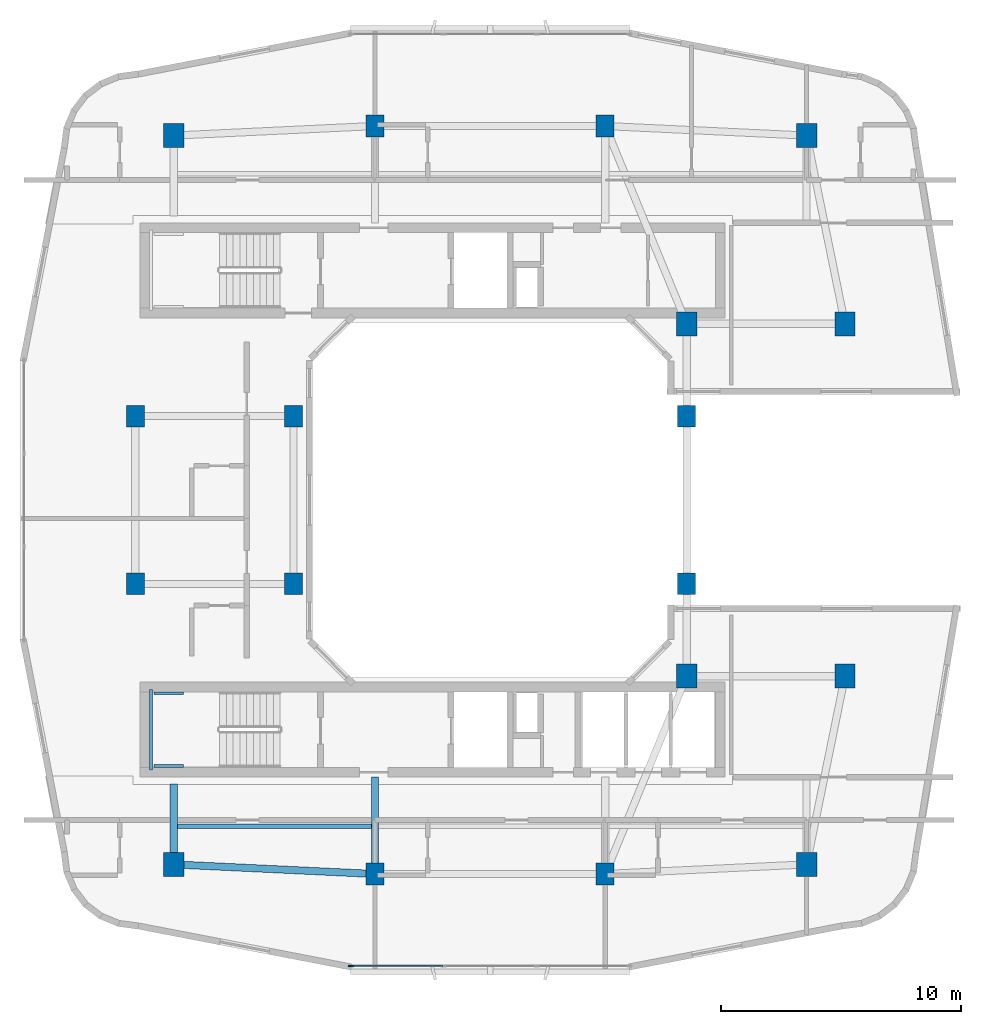
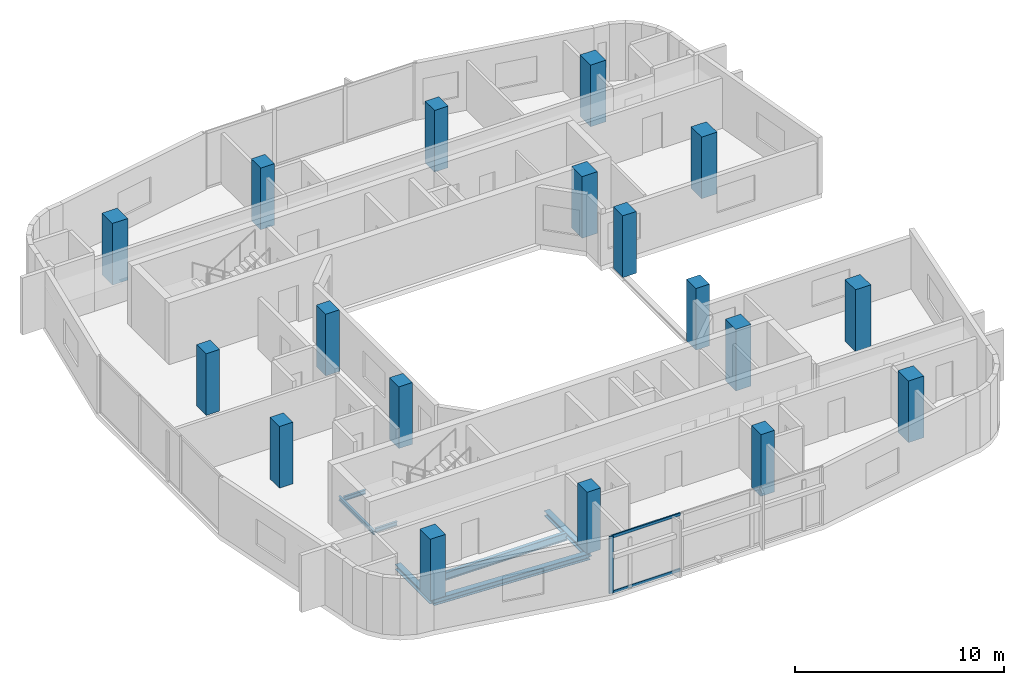
# One storey, part 1 of 12: 18 columns, 7 beams, 3 members, 1 element without a shape of its own.
"""IFC4 building model written with IfcOpenShell, lengths in metres."""

from ifc_helpers import new_model, si_unit, derived_unit, direction, frame, origin, origin_2d, place, context, subcontext, project, spatial, rectangle, i_section, extrude, material, layer, layer_set, material_profile, profile_set, type_object, element, aggregate, save


model = new_model("IFC4")

# Units and contexts
model_context = context("Model", 3, precision=1e-05, world=origin(), true_north=direction((0.0, 1.0)))
body_context = subcontext(model_context, "Body", "Model", "MODEL_VIEW")
ifc_project = project(units=[si_unit("LENGTHUNIT", "METRE"), si_unit("AREAUNIT", "SQUARE_METRE"), si_unit("VOLUMEUNIT", "CUBIC_METRE"), si_unit("PLANEANGLEUNIT", "RADIAN"), si_unit("MASSUNIT", "GRAM", prefix="KILO"), derived_unit("THERMALTRANSMITTANCEUNIT", [(si_unit("POWERUNIT", "WATT"), 1), (si_unit("LENGTHUNIT", "METRE"), -2), (si_unit("THERMODYNAMICTEMPERATUREUNIT", "KELVIN"), -1)])], contexts=[model_context])

# Site, building, storey
site_placement = place(None, origin())
site = spatial("IfcSite", under=ifc_project, at=site_placement, CompositionType="ELEMENT")
building_placement = place(site_placement, origin())
building = spatial("IfcBuilding", under=site, at=building_placement, Name="Kivonza Crest Hotel", CompositionType="ELEMENT")
storey_placement = place(building_placement, frame((0.0, 0.0, 181.10009765625)))
storey = spatial("IfcBuildingStorey", under=building, at=storey_placement, Name="L49", CompositionType="ELEMENT", Elevation=181.10009765625)

# Columns
ifc_material_1 = material(Name="Concrete C50/60", Category="concrete")
ifc_material_profile_1 = material_profile(ifc_material_1, rectangle(XDim=0.85009765625, YDim=1.0, at=origin_2d()), Name="RC 1000x850")
ifc_profile_set_1 = profile_set([ifc_material_profile_1], Name="Concrete C50/60")
column_type_1 = type_object("IfcColumnType", Name="CL-RC-1000x850", PredefinedType="COLUMN", material=ifc_profile_set_1)
for number, where, z_axis, x_axis, name in (
    (1, (7.800048828125, 9.800048828125, 0.0), (0.0, 0.0, 1.0), (1.0, 0.0, 0.0), "Tower T1 L49 column SW"),
    (2, (34.199951171875, 9.800048828125, 0.0), (0.0, 0.0, 1.0), (1.0, 0.0, 0.0), "Tower T1 L49 column SE"),
    (3, (34.199951171875, 40.199951171875, 0.0), (0.0, 0.0, 1.0), (1.0, 0.0, 0.0), "Tower T1 L49 column NE"),
    (4, (7.800048828125, 40.199951171875, 0.0), (0.0, 0.0, 1.0), (1.0, 0.0, 0.0), "Tower T1 L49 column NW"),
    (5, (35.800048828125, 17.64990234375, 0.0), (0.0, 0.0, 1.0), (1.0, 0.0, 0.0), "Tower T1 L49 column PSE"),
    (6, (35.800048828125, 32.35009765625, 0.0), (0.0, 0.0, 1.0), (1.0, 0.0, 0.0), "Tower T1 L49 column PNE"),
    (7, (29.199951171875, 17.64990234375, 0.0), (0.0, 0.0, 1.0), (1.0, 0.0, 0.0), "Tower T1 L49 column TSE"),
    (8, (29.199951171875, 32.35009765625, 0.0), (0.0, 0.0, 1.0), (1.0, 0.0, 0.0), "Tower T1 L49 column TNE"),
):
    element("IfcColumn", number, at=place(storey_placement, frame(where, z_axis=z_axis, x_axis=x_axis)), inside=storey, type_object=column_type_1, Name=name, PredefinedType="COLUMN", context=body_context, shape_type="SweptSolid", body=[
        extrude(rectangle(XDim=0.85009765625, YDim=1.0, at=origin_2d()), origin(), (0.0, 0.0, 1.0), 3.599853515625),
    ])
ifc_material_profile_2 = material_profile(ifc_material_1, rectangle(XDim=0.75, YDim=0.89990234375, at=origin_2d()), Name="RC 900x750")
ifc_profile_set_2 = profile_set([ifc_material_profile_2], Name="Concrete C50/60")
column_type_2 = type_object("IfcColumnType", Name="CL-RC-900x750", PredefinedType="COLUMN", material=ifc_profile_set_2)
for number, where, z_axis, x_axis, name in (
    (9, (16.199951171875, 9.39990234375, 0.0), (0.0, 0.0, 1.0), (1.0, 0.0, 0.0), "Tower T1 L49 column S1"),
    (10, (25.800048828125, 9.39990234375, 0.0), (0.0, 0.0, 1.0), (1.0, 0.0, 0.0), "Tower T1 L49 column S2"),
    (11, (16.199951171875, 40.60009765625, 0.0), (0.0, 0.0, 1.0), (1.0, 0.0, 0.0), "Tower T1 L49 column N1"),
    (12, (25.800048828125, 40.60009765625, 0.0), (0.0, 0.0, 1.0), (1.0, 0.0, 0.0), "Tower T1 L49 column N2"),
    (13, (6.199951171875, 21.5, 0.0), (0.0, 0.0, 1.0), (1.0, 0.0, 0.0), "Tower T1 L49 column W1"),
    (14, (6.199951171875, 28.5, 0.0), (0.0, 0.0, 1.0), (1.0, 0.0, 0.0), "Tower T1 L49 column W2"),
    (15, (12.800048828125, 21.5, 0.0), (0.0, 0.0, 1.0), (1.0, 0.0, 0.0), "Tower T1 L49 column WL1"),
    (16, (12.800048828125, 28.5, 0.0), (0.0, 0.0, 1.0), (1.0, 0.0, 0.0), "Tower T1 L49 column WL2"),
    (17, (29.199951171875, 21.5, 0.0), (0.0, 0.0, 1.0), (1.0, 0.0, 0.0), "Tower T1 L49 column WR1"),
    (18, (29.199951171875, 28.5, 0.0), (0.0, 0.0, 1.0), (1.0, 0.0, 0.0), "Tower T1 L49 column WR2"),
):
    element("IfcColumn", number, at=place(storey_placement, frame(where, z_axis=z_axis, x_axis=x_axis)), inside=storey, type_object=column_type_2, Name=name, PredefinedType="COLUMN", context=body_context, shape_type="SweptSolid", body=[
        extrude(rectangle(XDim=0.75, YDim=0.89990234375, at=origin_2d()), origin(), (0.0, 0.0, 1.0), 3.599853515625),
    ])

# Beams
ifc_material_2 = material(Name="Steel S355", Category="steel")
ifc_material_profile_3 = material_profile(ifc_material_2, i_section(OverallWidth=0.300048828125, OverallDepth=0.300048828125, WebThickness=0.010986328125, FlangeThickness=0.01904296875, FilletRadius=0.027099609375, at=origin_2d()), Name="HEB 300")
ifc_profile_set_3 = profile_set([ifc_material_profile_3], Name="Steel S355")
beam_type_1 = type_object("IfcBeamType", Name="BM-HEB300", PredefinedType="BEAM", material=ifc_profile_set_3)
beam_1_placement = place(storey_placement, frame((7.800048828125, 9.800048828125, -0.43017578125), z_axis=(0.0, 1.0, 0.0), x_axis=(-1.0, 0.0, 0.0)))
element("IfcBeam", 19, at=beam_1_placement, inside=storey, type_object=beam_type_1, Name="Tower T1 L49 radial core girder RSW", PredefinedType="BEAM", context=body_context, shape_type="SweptSolid", body=[
    extrude(i_section(OverallWidth=0.300048828125, OverallDepth=0.300048828125, WebThickness=0.010986328125, FlangeThickness=0.01904296875, FilletRadius=0.027099609375, at=origin_2d()), origin(), (0.0, 0.0, 1.0), 3.349853515625),
])
beam_2_placement = place(storey_placement, frame((16.199951171875, 9.39990234375, -0.43017578125), z_axis=(0.0, 1.0, 0.0), x_axis=(-1.0, 0.0, 0.0)))
element("IfcBeam", 20, at=beam_2_placement, inside=storey, type_object=beam_type_1, Name="Tower T1 L49 radial core girder RS1", PredefinedType="BEAM", context=body_context, shape_type="SweptSolid", body=[
    extrude(i_section(OverallWidth=0.300048828125, OverallDepth=0.300048828125, WebThickness=0.010986328125, FlangeThickness=0.01904296875, FilletRadius=0.027099609375, at=origin_2d()), origin(), (0.0, 0.0, 1.0), 4.050048828125),
])
ifc_material_profile_4 = material_profile(ifc_material_2, i_section(OverallWidth=0.300048828125, OverallDepth=0.360107421875, WebThickness=0.012451171875, FlangeThickness=0.0224609375, FilletRadius=0.027099609375, at=origin_2d()), Name="HEB 360")
ifc_profile_set_4 = profile_set([ifc_material_profile_4], Name="Steel S355")
beam_type_2 = type_object("IfcBeamType", Name="BM-HEB360", PredefinedType="SPANDREL", material=ifc_profile_set_4)
beam_3_placement = place(storey_placement, frame((7.800048828125, 9.800048828125, -0.460205078125), z_axis=(0.998867283688, -0.047583080799, 0.0), x_axis=(0.047583080799, 0.998867283688, 0.0)))
element("IfcBeam", 21, at=beam_3_placement, inside=storey, type_object=beam_type_2, Name="Tower T1 L49 perimeter spandrel SW-S1", PredefinedType="SPANDREL", context=body_context, shape_type="SweptSolid", body=[
    extrude(i_section(OverallWidth=0.300048828125, OverallDepth=0.360107421875, WebThickness=0.012451171875, FlangeThickness=0.0224609375, FilletRadius=0.027099609375, at=origin_2d()), origin(), (0.0, 0.0, 1.0), 8.409423828125),
])
ifc_material_profile_5 = material_profile(ifc_material_2, i_section(OverallWidth=0.18994140625, OverallDepth=0.449951171875, WebThickness=0.009521484375, FlangeThickness=0.0146484375, FilletRadius=0.02099609375, at=origin_2d()), Name="IPE 450")
ifc_profile_set_5 = profile_set([ifc_material_profile_5], Name="Steel S355")
beam_type_3 = type_object("IfcBeamType", Name="BM-IPE450", PredefinedType="JOIST", material=ifc_profile_set_5)
beam_4_placement = place(storey_placement, frame((7.8798828125, 11.39990234375, -0.505126953125), z_axis=(1.0, 0.0, 0.0), x_axis=(0.0, 1.0, 0.0)))
element("IfcBeam", 22, at=beam_4_placement, inside=storey, type_object=beam_type_3, Name="Tower T1 L49 South-West floor joist", PredefinedType="JOIST", context=body_context, shape_type="SweptSolid", body=[
    extrude(i_section(OverallWidth=0.18994140625, OverallDepth=0.449951171875, WebThickness=0.009521484375, FlangeThickness=0.0146484375, FilletRadius=0.02099609375, at=origin_2d()), origin(), (0.0, 0.0, 1.0), 8.240234375),
])
ifc_material_profile_6 = material_profile(ifc_material_2, i_section(OverallWidth=0.1201171875, OverallDepth=0.239990234375, WebThickness=0.006103515625, FlangeThickness=0.009765625, FilletRadius=0.014892578125, at=origin_2d()), Name="IPE 240")
ifc_profile_set_6 = profile_set([ifc_material_profile_6], Name="Steel S355")
beam_type_4 = type_object("IfcBeamType", Name="BM-LLDG-240", PredefinedType="BEAM", material=ifc_profile_set_6)
beam_5_placement = place(storey_placement, frame((6.860107421875, 13.739990234375, 1.47998046875), z_axis=(0.0, 1.0, 0.0), x_axis=(-1.0, 0.0, 0.0)))
element("IfcBeam", 23, at=beam_5_placement, inside=storey, type_object=beam_type_4, Name="Stair ST-T1-S L49 West landing corbel", PredefinedType="BEAM", context=body_context, shape_type="SweptSolid", body=[
    extrude(i_section(OverallWidth=0.1201171875, OverallDepth=0.239990234375, WebThickness=0.006103515625, FlangeThickness=0.009765625, FilletRadius=0.014892578125, at=origin_2d()), origin(), (0.0, 0.0, 1.0), 3.360107421875),
])
for number, where, z_axis, x_axis, name in (
    (24, (6.989990234375, 13.89990234375, 1.47998046875), (1.0, 0.0, 0.0), (0.0, 1.0, 0.0), "Stair ST-T1-S L49 South landing corbel"),
    (25, (6.989990234375, 16.93994140625, 1.47998046875), (1.0, 0.0, 0.0), (0.0, 1.0, 0.0), "Stair ST-T1-S L49 North landing corbel"),
):
    element("IfcBeam", number, at=place(storey_placement, frame(where, z_axis=z_axis, x_axis=x_axis)), inside=storey, type_object=beam_type_4, Name=name, PredefinedType="BEAM", context=body_context, shape_type="SweptSolid", body=[
        extrude(i_section(OverallWidth=0.1201171875, OverallDepth=0.239990234375, WebThickness=0.006103515625, FlangeThickness=0.009765625, FilletRadius=0.014892578125, at=origin_2d()), origin(), (0.0, 0.0, 1.0), 1.2099609375),
    ])

# Curtain wall, members
ifc_material_3 = material(Name="Anodised bronze aluminium and low-E double glazing", Category="aluminium")
ifc_layer = layer(ifc_material_3, 0.179931640625)
ifc_layer_set = layer_set([ifc_layer], Name="Anodised bronze aluminium and low-E double glazing")
curtain_wall_type = type_object("IfcCurtainWallType", Name="CW-SYS-3", PredefinedType="NOTDEFINED", material=ifc_layer_set)
curtain_wall_placement = place(storey_placement, origin())
curtain_wall = element("IfcCurtainWall", 26, at=curtain_wall_placement, inside=storey, type_object=curtain_wall_type, Name="L49 unitised curtain wall CW-T1-L49-08", PredefinedType="NOTDEFINED")
ifc_material_4 = material(Name="Anodised bronze aluminium", Category="aluminium")
ifc_material_profile_7 = material_profile(ifc_material_4, rectangle(XDim=0.074951171875, YDim=0.219970703125, at=origin_2d()), Name="CW-M 75x220")
ifc_profile_set_7 = profile_set([ifc_material_profile_7], Name="Anodised bronze aluminium")
member_type_1 = type_object("IfcMemberType", Name="CW-MUL-75x220", PredefinedType="MULLION", material=ifc_profile_set_7)
member_1_placement = place(storey_placement, frame((15.197509765625, 5.56005859375, 0.0), z_axis=(0.0, 0.0, 1.0), x_axis=(0.0, 1.0, 0.0)))
member_1 = element("IfcMember", 27, at=member_1_placement, type_object=member_type_1, Name="CW-3 mullion 1", PredefinedType="MULLION", context=body_context, shape_type="SweptSolid", body=[
    extrude(rectangle(XDim=0.074951171875, YDim=0.219970703125, at=origin_2d()), origin(), (0.0, 0.0, 1.0), 3.31982421875),
])
ifc_material_profile_8 = material_profile(ifc_material_4, rectangle(XDim=0.074951171875, YDim=0.159912109375, at=origin_2d()), Name="CW-T 75x160")
ifc_profile_set_8 = profile_set([ifc_material_profile_8], Name="Anodised bronze aluminium")
member_type_2 = type_object("IfcMemberType", Name="CW-TRN-75x160", PredefinedType="USERDEFINED", material=ifc_profile_set_8)
member_2_placement = place(storey_placement, frame((15.235107421875, 5.56005859375, 0.037353515625), z_axis=(1.0, 0.0, 0.0), x_axis=(0.0, 1.0, 0.0)))
member_2 = element("IfcMember", 28, at=member_2_placement, type_object=member_type_2, Name="CW-3 transom 1.1", ObjectType="TRANSOM", PredefinedType="USERDEFINED", context=body_context, shape_type="SweptSolid", body=[
    extrude(rectangle(XDim=0.074951171875, YDim=0.159912109375, at=origin_2d()), origin(), (0.0, 0.0, 1.0), 3.78076171875),
])
member_3_placement = place(storey_placement, frame((15.235107421875, 5.56005859375, 3.282470703125), z_axis=(1.0, 0.0, 0.0), x_axis=(0.0, 1.0, 0.0)))
member_3 = element("IfcMember", 29, at=member_3_placement, type_object=member_type_2, Name="CW-3 transom 1.2", ObjectType="TRANSOM", PredefinedType="USERDEFINED", context=body_context, shape_type="SweptSolid", body=[
    extrude(rectangle(XDim=0.074951171875, YDim=0.159912109375, at=origin_2d()), origin(), (0.0, 0.0, 1.0), 3.78076171875),
])
aggregate(curtain_wall, [member_1, member_2, member_3])

save(model, "model.ifc")
